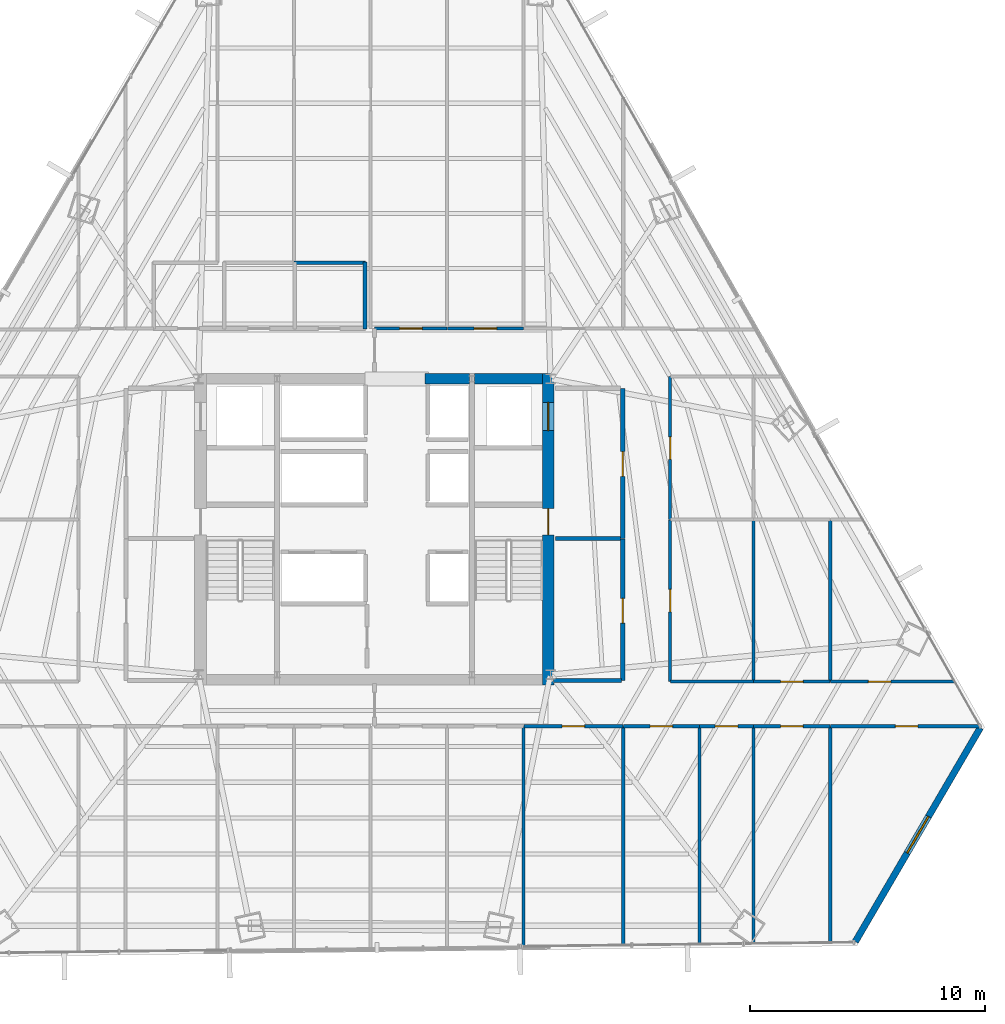
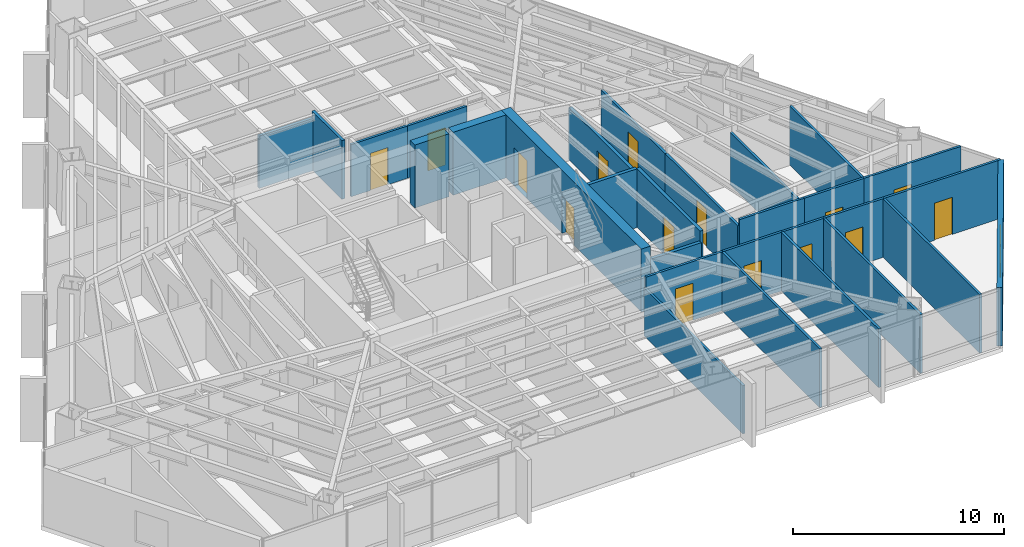
# One storey, part 33 of 37: 29 walls, 15 doors, 1 window, 16 openings.
"""IFC4 building model written with IfcOpenShell, lengths in metres."""

import ifcopenshell
import ifcopenshell.guid

model = None  # the IFC model being written
_history = None  # IfcOwnerHistory: only IFC2X3 demands one
_inside = {}  # id of a spatial element -> (the spatial element, [elements in it])
_under = {}  # id of a project, library or spatial element -> (it, [spatial elements below it])
_declared = {}  # id of a project -> (the project, [libraries it declares])
_typed = {}  # id of a type object -> (the type object, [elements of that type])
_made_of = {}  # id of a material, layer set ... -> (it, [elements and type objects made of it])


def new_model(schema):
    """Start an empty IFC model of exactly this schema.

    Asked for "IFC4X3", IfcOpenShell would pick the latest addendum, in which some entities
    have other attributes; the version numbers below select the first issue.
    IFC2X3 requires an IfcOwnerHistory on every rooted entity: one is made here for all.
    """
    global model, _history
    if schema == "IFC4X3":
        model = ifcopenshell.file(schema_version=(4, 3, 0, 0))
    else:
        model = ifcopenshell.file(schema=schema)
    _inside.clear()
    _under.clear()
    _declared.clear()
    _typed.clear()
    _made_of.clear()
    _history = None
    if model.schema == "IFC2X3":
        org = make("IfcOrganization", Name="unknown")
        user = make(
            "IfcPersonAndOrganization",
            ThePerson=make("IfcPerson", FamilyName="unknown"),
            TheOrganization=org,
        )
        app = make(
            "IfcApplication",
            ApplicationDeveloper=org,
            Version="unknown",
            ApplicationFullName="unknown",
            ApplicationIdentifier="unknown",
        )
        _history = make(
            "IfcOwnerHistory",
            OwningUser=user,
            OwningApplication=app,
            ChangeAction="ADDED",
            CreationDate=0,
        )
    return model


def make(cls, **values):
    """One entity of the class cls with the attributes given. An attribute that is None is left unset."""
    return model.create_entity(
        cls, **{name: value for name, value in values.items() if value is not None}
    )


def rooted(cls, **values):
    """An entity with a GlobalId (a new one), such as an element, a storey or a relation."""
    return make(cls, GlobalId=ifcopenshell.guid.new(), OwnerHistory=_history, **values)


def si_unit(unit_type, name, prefix=None):
    """IfcSIUnit, for example si_unit("LENGTHUNIT", "METRE", prefix="MILLI")."""
    return make("IfcSIUnit", UnitType=unit_type, Prefix=prefix, Name=name)


def assignment(units):
    """IfcUnitAssignment: the units of a project."""
    return None if units is None else make("IfcUnitAssignment", Units=units)


def point(xyz):
    """IfcCartesianPoint."""
    return None if xyz is None else make("IfcCartesianPoint", Coordinates=xyz)


def direction(xyz):
    """IfcDirection."""
    return None if xyz is None else make("IfcDirection", DirectionRatios=xyz)


def frame(location, z_axis=None, x_axis=None):
    """IfcAxis2Placement3D, a coordinate frame: its origin and axes. An axis left out is left unset."""
    return make(
        "IfcAxis2Placement3D",
        Location=point(location),
        Axis=direction(z_axis),
        RefDirection=direction(x_axis),
    )


def frame_2d(location, x_axis=None):
    """IfcAxis2Placement2D, a coordinate frame in the plane: its origin and x axis."""
    return make(
        "IfcAxis2Placement2D", Location=point(location), RefDirection=direction(x_axis)
    )


def origin():
    """The frame at (0, 0, 0) with its axes left unset."""
    return frame((0.0, 0.0, 0.0))


def place(relative_to, where):
    """IfcLocalPlacement: puts the frame where relative to a parent placement (None: the world)."""
    return make(
        "IfcLocalPlacement", PlacementRelTo=relative_to, RelativePlacement=where
    )


def context(
    kind, dimensions, precision=None, world=None, true_north=None, identifier=None
):
    """IfcGeometricRepresentationContext, for example the 3D "Model" context."""
    return make(
        "IfcGeometricRepresentationContext",
        ContextIdentifier=identifier,
        ContextType=kind,
        CoordinateSpaceDimension=dimensions,
        Precision=precision,
        WorldCoordinateSystem=world,
        TrueNorth=true_north,
    )


def subcontext(parent, identifier, kind, view, scale=None):
    """IfcGeometricRepresentationSubContext, for example "Body" below "Model"."""
    return make(
        "IfcGeometricRepresentationSubContext",
        ContextIdentifier=identifier,
        ContextType=kind,
        ParentContext=parent,
        TargetScale=scale,
        TargetView=view,
    )


def project(units=None, contexts=None):
    """IfcProject with its units and contexts."""
    return rooted(
        "IfcProject",
        Name="project",
        RepresentationContexts=contexts,
        UnitsInContext=assignment(units),
    )


def spatial(cls, under=None, at=None, **own):
    """A site, building, storey or space (cls), placed at a placement, below another one or the project."""
    s = rooted(cls, ObjectPlacement=at, **own)
    if under is not None:
        _under.setdefault(under.id(), (under, []))[1].append(s)
    return s


def profile(cls, at=None, kind="AREA", **sizes):
    """A parametric profile (cls). Its sizes go by their IFC names, for example OverallWidth=200.0."""
    return make(cls, ProfileType=kind, Position=at, **sizes)


def rectangle(**sizes):
    """IfcRectangleProfileDef."""
    return profile("IfcRectangleProfileDef", **sizes)


def extrude(swept, where, along, depth):
    """IfcExtrudedAreaSolid: the profile swept, set in the frame where, extruded along a direction by depth."""
    return make(
        "IfcExtrudedAreaSolid",
        SweptArea=swept,
        Position=where,
        ExtrudedDirection=direction(along),
        Depth=depth,
    )


def shape(context_of_items, identifier, shape_type, items):
    """IfcShapeRepresentation: the items that make up one representation, for example the "Body"."""
    return make(
        "IfcShapeRepresentation",
        ContextOfItems=context_of_items,
        RepresentationIdentifier=identifier,
        RepresentationType=shape_type,
        Items=items,
    )


def material(Name=None, Category=None):
    """IfcMaterial."""
    return make("IfcMaterial", Name=Name, Category=Category)


def layer(
    of_material, thickness, ventilated=None, Name=None, Category=None, Priority=None
):
    """IfcMaterialLayer: one layer of a wall or slab, of a material (None: an air gap)."""
    return make(
        "IfcMaterialLayer",
        Material=of_material,
        LayerThickness=thickness,
        IsVentilated=ventilated,
        Name=Name,
        Category=Category,
        Priority=Priority,
    )


def layer_set(layers, Name=None):
    """IfcMaterialLayerSet."""
    return make("IfcMaterialLayerSet", MaterialLayers=layers, LayerSetName=Name)


def made_of(thing, what):
    """Note that an element or type object is made of a material, layer set ...; save() writes the relation."""
    if what is not None:
        _made_of.setdefault(what.id(), (what, []))[1].append(thing)
    return thing


def type_object(cls, material=None, **own):
    """A type object (cls), such as IfcWallType, which elements share."""
    return made_of(rooted(cls, **own), material)


def element(
    cls,
    number,
    at=None,
    inside=None,
    cuts=None,
    type_object=None,
    material=None,
    context=None,
    identifier="Body",
    shape_type=None,
    held_by="IfcProductDefinitionShape",
    body=None,
    shapes=None,
    **own,
):
    """One element of the class cls, such as IfcWall. Its Tag is "e" and its number.

    at: its placement. inside: the storey or other place that contains it. cuts: it is an
    opening in that element (IfcRelVoidsElement). A single representation is given by context,
    identifier, shape_type and body (its items); several are given by shapes. held_by: the class
    of the entity that holds the representations. save() writes the other relations.
    """
    e = rooted(cls, Tag="e%d" % number, ObjectPlacement=at, **own)
    if body is not None:
        shapes = [shape(context, identifier, shape_type, body)]
    if shapes is not None:
        e.Representation = make(held_by, Representations=shapes)
    if inside is not None:
        _inside.setdefault(inside.id(), (inside, []))[1].append(e)
    if cuts is not None:
        rooted(
            "IfcRelVoidsElement", RelatingBuildingElement=cuts, RelatedOpeningElement=e
        )
    if type_object is not None:
        _typed.setdefault(type_object.id(), (type_object, []))[1].append(e)
    return made_of(e, material)


def fill(opening, filler):
    """IfcRelFillsElement: the door or window that sits in an opening."""
    return rooted(
        "IfcRelFillsElement",
        RelatingOpeningElement=opening,
        RelatedBuildingElement=filler,
    )


def aggregate(whole, parts):
    """IfcRelAggregates: a whole, such as a stair, and the parts it consists of."""
    return rooted("IfcRelAggregates", RelatingObject=whole, RelatedObjects=parts)


def save(model, path):
    """Write the relations noted so far, then the file.

    IfcRelAggregates (storeys below a building ...), IfcRelContainedInSpatialStructure (elements
    in a storey), IfcRelDefinesByType, IfcRelAssociatesMaterial and IfcRelDeclares: one each for
    every whole, place, type object, material and project.
    """
    for whole, parts in _under.values():
        aggregate(whole, parts)
    for where, things in _inside.values():
        rooted(
            "IfcRelContainedInSpatialStructure",
            RelatedElements=things,
            RelatingStructure=where,
        )
    for kind, things in _typed.values():
        rooted("IfcRelDefinesByType", RelatedObjects=things, RelatingType=kind)
    for what, things in _made_of.values():
        rooted("IfcRelAssociatesMaterial", RelatedObjects=things, RelatingMaterial=what)
    for by, libraries in _declared.values():
        rooted("IfcRelDeclares", RelatingContext=by, RelatedDefinitions=libraries)
    model.write(path)


model = new_model("IFC4")

# Units and contexts
model_context = context("Model", 3, precision=1e-05, world=origin(), true_north=direction((0.0, 1.0)))
body_context = subcontext(model_context, "Body", "Model", "MODEL_VIEW")
ifc_project = project(units=[si_unit("LENGTHUNIT", "METRE"), si_unit("AREAUNIT", "SQUARE_METRE"), si_unit("VOLUMEUNIT", "CUBIC_METRE"), si_unit("PLANEANGLEUNIT", "RADIAN"), si_unit("MASSUNIT", "GRAM", prefix="KILO")], contexts=[model_context])

# Site, building, storey
site_placement = place(None, origin())
site = spatial("IfcSite", under=ifc_project, at=site_placement, CompositionType="ELEMENT")
building_placement = place(site_placement, origin())
building = spatial("IfcBuilding", under=site, at=building_placement, Name="Caelisora Broadcast Tower", CompositionType="ELEMENT")
storey_placement = place(building_placement, frame((0.0, 0.0, 120.0)))
storey = spatial("IfcBuildingStorey", under=building, at=storey_placement, Name="L31", CompositionType="ELEMENT", Elevation=120.0)

# Wall, openings, doors
ifc_material_1 = material(Name="Concrete 50 MPa (AS 3600 S50)", Category="concrete")
ifc_layer_1 = layer(ifc_material_1, 0.5, Name="Concrete 50 MPa (AS 3600 S50)")
ifc_layer_set_1 = layer_set([ifc_layer_1], Name="Concrete 50 MPa (AS 3600 S50)")
wall_type_1 = type_object("IfcWallType", Name="CW2", PredefinedType="SHEAR", material=ifc_layer_set_1)
wall_1_placement = place(storey_placement, frame((45.409912109375, 16.949951171875, 0.0), z_axis=(0.0, 0.0, 1.0), x_axis=(0.0, 1.0, 0.0)))
wall_1 = element("IfcWall", 1, at=wall_1_placement, inside=storey, type_object=wall_type_1, Name="L31 core shear wall CW2", PredefinedType="SHEAR", context=body_context, shape_type="SweptSolid", body=[
    extrude(rectangle(XDim=13.275146484375, YDim=0.5, at=frame_2d((6.6376953125, 0.0))), origin(), (0.0, 0.0, 1.0), 3.64990234375),
])
opening_1_placement = place(wall_1_placement, frame((6.39990234375, 0.0, 0.0)))
opening_1 = element("IfcOpeningElement", 2, at=opening_1_placement, cuts=wall_1, Name="Opening FD04", PredefinedType="OPENING", context=body_context, shape_type="SweptSolid", body=[
    extrude(rectangle(XDim=1.1201171875, YDim=2.14990234375, at=frame_2d((0.56005859375, 1.074951171875))), frame((0.0, 0.261962890625, 0.0), z_axis=(0.0, -1.0, 0.0), x_axis=(1.0, 0.0, 0.0)), (0.0, 0.0, 1.0), 0.52392578125),
])
opening_2_placement = place(wall_1_placement, frame((10.85009765625, 0.0, 0.0)))
opening_2 = element("IfcOpeningElement", 3, at=opening_2_placement, cuts=wall_1, Name="Opening LD04", PredefinedType="OPENING", context=body_context, shape_type="SweptSolid", body=[
    extrude(rectangle(XDim=1.199951171875, YDim=2.199951171875, at=frame_2d((0.60009765625, 1.10009765625))), frame((0.0, 0.261962890625, 0.0), z_axis=(0.0, -1.0, 0.0), x_axis=(1.0, 0.0, 0.0)), (0.0, 0.0, 1.0), 0.52392578125),
])
ifc_material_2 = material(Name="Pressurised Fire-Isolated Stair Door", Category="steel")
door_type_1 = type_object("IfcDoorType", Name="FD04", OperationType="NOTDEFINED", PredefinedType="DOOR", material=ifc_material_2)
door_1_placement = place(opening_1_placement, origin())
door_1 = element("IfcDoor", 4, at=door_1_placement, inside=storey, type_object=door_type_1, Name="L31 door FD04 (L31-DR-ST2)", OperationType="SINGLE_SWING_RIGHT", OverallHeight=2.14990234375, OverallWidth=1.1201171875, PredefinedType="DOOR", context=body_context, shape_type="SweptSolid", body=[
    extrude(rectangle(XDim=1.1201171875, YDim=2.14990234375, at=frame_2d((0.56005859375, 1.074951171875))), frame((0.0, 0.02490234375, 0.0), z_axis=(0.0, -1.0, 0.0), x_axis=(1.0, 0.0, 0.0)), (0.0, 0.0, 1.0), 0.050048828125),
])
fill(opening_1, door_1)
ifc_material_3 = material(Name="Emergency Firefighting Lift Sliding Landing Door", Category="steel")
door_type_2 = type_object("IfcDoorType", Name="LD04", OperationType="NOTDEFINED", PredefinedType="DOOR", material=ifc_material_3)
door_2_placement = place(opening_2_placement, origin())
door_2 = element("IfcDoor", 5, at=door_2_placement, inside=storey, type_object=door_type_2, Name="L31 door LD04 (L31-LD-FFL2)", OperationType="SLIDING_TO_RIGHT", OverallHeight=2.199951171875, OverallWidth=1.199951171875, PredefinedType="DOOR", context=body_context, shape_type="SweptSolid", body=[
    extrude(rectangle(XDim=1.199951171875, YDim=2.199951171875, at=frame_2d((0.60009765625, 1.10009765625))), frame((0.0, 0.02490234375, 0.0), z_axis=(0.0, -1.0, 0.0), x_axis=(1.0, 0.0, 0.0)), (0.0, 0.0, 1.0), 0.050048828125),
])
fill(opening_2, door_2)

# Walls
ifc_layer_2 = layer(ifc_material_1, 0.449951171875, Name="Concrete 50 MPa (AS 3600 S50)")
ifc_layer_set_2 = layer_set([ifc_layer_2], Name="Concrete 50 MPa (AS 3600 S50)")
wall_type_2 = type_object("IfcWallType", Name="CW5", PredefinedType="SHEAR", material=ifc_layer_set_2)
wall_2_placement = place(storey_placement, frame((40.159912109375, 30.0, 0.0), z_axis=(0.0, 0.0, 1.0), x_axis=(1.0, 0.0, 0.0)))
element("IfcWall", 6, at=wall_2_placement, inside=storey, type_object=wall_type_2, Name="L31 core shear wall CW5", PredefinedType="SHEAR", context=body_context, shape_type="SweptSolid", body=[
    extrude(rectangle(XDim=1.880126953125, YDim=0.449951171875, at=frame_2d((0.93994140625, 0.0))), origin(), (0.0, 0.0, 1.0), 3.64990234375),
])
wall_3_placement = place(storey_placement, frame((42.260009765625, 30.0, 0.0), z_axis=(0.0, 0.0, 1.0), x_axis=(1.0, 0.0, 0.0)))
element("IfcWall", 7, at=wall_3_placement, inside=storey, type_object=wall_type_2, Name="L31 core shear wall CW5", PredefinedType="SHEAR", context=body_context, shape_type="SweptSolid", body=[
    extrude(rectangle(XDim=2.89990234375, YDim=0.449951171875, at=frame_2d((1.449951171875, 0.0))), origin(), (0.0, 0.0, 1.0), 3.64990234375),
])

# Wall, opening, window
ifc_material_4 = material(Name="Insulated Terracotta Spandrel Wall System", Category="masonry")
ifc_layer_3 = layer(ifc_material_4, 0.280029296875, Name="Insulated Terracotta Spandrel Wall System")
ifc_layer_set_3 = layer_set([ifc_layer_3], Name="Insulated Terracotta Spandrel Wall System")
wall_type_3 = type_object("IfcWallType", Name="EW1", PredefinedType="STANDARD", material=ifc_layer_set_3)
wall_4_placement = place(storey_placement, frame((63.81396484375, 15.135009765625, 0.0), z_axis=(0.0, 0.0, 1.0), x_axis=(-0.504536673787, -0.863390262166, 0.0)))
wall_4 = element("IfcWall", 8, at=wall_4_placement, inside=storey, type_object=wall_type_3, Name="L31 exterior envelope wall EW1", PredefinedType="STANDARD", context=body_context, shape_type="SweptSolid", body=[
    extrude(rectangle(XDim=10.55615234375, YDim=0.280029296875, at=frame_2d((5.278076171875, 0.0))), origin(), (0.0, 0.0, 1.0), 3.39990234375),
])
opening_3_placement = place(wall_4_placement, frame((4.3798828125, 0.0, 0.89990234375)))
opening_3 = element("IfcOpeningElement", 9, at=opening_3_placement, cuts=wall_4, Name="Opening W01", PredefinedType="OPENING", context=body_context, shape_type="SweptSolid", body=[
    extrude(rectangle(XDim=1.800048828125, YDim=1.800048828125, at=frame_2d((0.89990234375, 0.89990234375))), frame((0.0, 0.152099609375, 0.0), z_axis=(0.0, -1.0, 0.0), x_axis=(1.0, 0.0, 0.0)), (0.0, 0.0, 1.0), 0.303955078125),
])
ifc_material_5 = material(Name="Double Glazed Terracotta-Framed Vision Window", Category="glass")
window_type = type_object("IfcWindowType", Name="W01", PartitioningType="SINGLE_PANEL", PredefinedType="WINDOW", material=ifc_material_5)
window_placement = place(opening_3_placement, origin())
window = element("IfcWindow", 10, at=window_placement, inside=storey, type_object=window_type, Name="L31 window W01 (L31-WN-CH0)", OverallHeight=1.800048828125, OverallWidth=1.800048828125, PartitioningType="SINGLE_PANEL", PredefinedType="WINDOW", context=body_context, shape_type="SweptSolid", body=[
    extrude(rectangle(XDim=1.800048828125, YDim=1.800048828125, at=frame_2d((0.89990234375, 0.89990234375))), frame((0.0, 0.030029296875, 0.0), z_axis=(0.0, -1.0, 0.0), x_axis=(1.0, 0.0, 0.0)), (0.0, 0.0, 1.0), 0.06005859375),
])
fill(opening_3, window)

# Wall, opening, door
ifc_material_6 = material(Name="Fire-Rated Gypsum Shaft and Compartment Wall", Category="gypsum")
ifc_layer_4 = layer(ifc_material_6, 0.179931640625, Name="Fire-Rated Gypsum Shaft and Compartment Wall")
ifc_layer_set_4 = layer_set([ifc_layer_4], Name="Fire-Rated Gypsum Shaft and Compartment Wall")
wall_type_4 = type_object("IfcWallType", Name="PW2", PredefinedType="PARTITIONING", material=ifc_layer_set_4)
wall_5_placement = place(storey_placement, frame((48.580078125, 23.199951171875, 0.0), z_axis=(0.0, 0.0, 1.0), x_axis=(0.0, 1.0, 0.0)))
wall_5 = element("IfcWall", 11, at=wall_5_placement, inside=storey, type_object=wall_type_4, Name="L31 fire compartment wall PW2", PredefinedType="PARTITIONING", context=body_context, shape_type="SweptSolid", body=[
    extrude(rectangle(XDim=6.400146484375, YDim=0.179931640625, at=frame_2d((3.2001953125, 0.0))), origin(), (0.0, 0.0, 1.0), 3.0263671875),
])
opening_4_placement = place(wall_5_placement, frame((2.64990234375, 0.0, 0.0)))
opening_4 = element("IfcOpeningElement", 12, at=opening_4_placement, cuts=wall_5, Name="Opening FD02", PredefinedType="OPENING", context=body_context, shape_type="SweptSolid", body=[
    extrude(rectangle(XDim=1.050048828125, YDim=2.14990234375, at=frame_2d((0.52490234375, 1.074951171875))), frame((0.0, 0.10205078125, 0.0), z_axis=(0.0, -1.0, 0.0), x_axis=(1.0, 0.0, 0.0)), (0.0, 0.0, 1.0), 0.203857421875),
])
ifc_material_7 = material(Name="Single-Leaf Steel Fire Lobby Door", Category="steel")
door_type_3 = type_object("IfcDoorType", Name="FD02", OperationType="NOTDEFINED", PredefinedType="DOOR", material=ifc_material_7)
door_3_placement = place(opening_4_placement, origin())
door_3 = element("IfcDoor", 13, at=door_3_placement, inside=storey, type_object=door_type_3, Name="L31 door FD02 (L31-DR-P04D1)", OperationType="SINGLE_SWING_RIGHT", OverallHeight=2.14990234375, OverallWidth=1.050048828125, PredefinedType="DOOR", context=body_context, shape_type="SweptSolid", body=[
    extrude(rectangle(XDim=1.050048828125, YDim=2.14990234375, at=frame_2d((0.52490234375, 1.074951171875))), frame((0.0, 0.02490234375, 0.0), z_axis=(0.0, -1.0, 0.0), x_axis=(1.0, 0.0, 0.0)), (0.0, 0.0, 1.0), 0.050048828125),
])
fill(opening_4, door_3)

# Wall
wall_6_placement = place(storey_placement, frame((45.719970703125, 23.199951171875, 0.0), z_axis=(0.0, 0.0, 1.0), x_axis=(1.0, 0.0, 0.0)))
element("IfcWall", 14, at=wall_6_placement, inside=storey, type_object=wall_type_4, Name="L31 fire compartment wall PW2", PredefinedType="PARTITIONING", context=body_context, shape_type="SweptSolid", body=[
    extrude(rectangle(XDim=2.760009765625, YDim=0.179931640625, at=frame_2d((1.3798828125, 0.0))), origin(), (0.0, 0.0, 1.0), 3.39990234375),
])

# Wall, opening, door
wall_7_placement = place(storey_placement, frame((48.580078125, 17.14990234375, 0.0), z_axis=(0.0, 0.0, 1.0), x_axis=(0.0, 1.0, 0.0)))
wall_7 = element("IfcWall", 15, at=wall_7_placement, inside=storey, type_object=wall_type_4, Name="L31 fire compartment wall PW2", PredefinedType="PARTITIONING", context=body_context, shape_type="SweptSolid", body=[
    extrude(rectangle(XDim=6.030029296875, YDim=0.179931640625, at=frame_2d((3.01513671875, 0.0))), origin(), (0.0, 0.0, 1.0), 3.39990234375),
])
opening_5_placement = place(wall_7_placement, frame((2.449951171875, 0.0, 0.0)))
opening_5 = element("IfcOpeningElement", 16, at=opening_5_placement, cuts=wall_7, Name="Opening FD02", PredefinedType="OPENING", context=body_context, shape_type="SweptSolid", body=[
    extrude(rectangle(XDim=1.050048828125, YDim=2.14990234375, at=frame_2d((0.52490234375, 1.074951171875))), frame((0.0, 0.10205078125, 0.0), z_axis=(0.0, -1.0, 0.0), x_axis=(1.0, 0.0, 0.0)), (0.0, 0.0, 1.0), 0.203857421875),
])
door_4_placement = place(opening_5_placement, origin())
door_4 = element("IfcDoor", 17, at=door_4_placement, inside=storey, type_object=door_type_3, Name="L31 door FD02 (L31-DR-P14D1)", OperationType="SINGLE_SWING_LEFT", OverallHeight=2.14990234375, OverallWidth=1.050048828125, PredefinedType="DOOR", context=body_context, shape_type="SweptSolid", body=[
    extrude(rectangle(XDim=1.050048828125, YDim=2.14990234375, at=frame_2d((0.52490234375, 1.074951171875))), frame((0.0, 0.02490234375, 0.0), z_axis=(0.0, -1.0, 0.0), x_axis=(1.0, 0.0, 0.0)), (0.0, 0.0, 1.0), 0.050048828125),
])
fill(opening_5, door_4)

# Walls
wall_8_placement = place(storey_placement, frame((45.6201171875, 17.14990234375, 0.0), z_axis=(0.0, 0.0, 1.0), x_axis=(1.0, 0.0, 0.0)))
element("IfcWall", 18, at=wall_8_placement, inside=storey, type_object=wall_type_4, Name="L31 fire compartment wall PW2", PredefinedType="PARTITIONING", context=body_context, shape_type="SweptSolid", body=[
    extrude(rectangle(XDim=2.89990234375, YDim=0.179931640625, at=frame_2d((1.449951171875, 0.0))), origin(), (0.0, 0.0, 1.0), 2.78271484375),
])
ifc_material_8 = material(Name="Acoustic Steel-Stud Plasterboard Partition", Category="gypsum")
ifc_layer_5 = layer(ifc_material_8, 0.1298828125, Name="Acoustic Steel-Stud Plasterboard Partition")
ifc_layer_set_5 = layer_set([ifc_layer_5], Name="Acoustic Steel-Stud Plasterboard Partition")
wall_type_5 = type_object("IfcWallType", Name="PW3", PredefinedType="PARTITIONING", material=ifc_layer_set_5)
wall_9_placement = place(storey_placement, frame((44.360107421875, 5.814208984375, 0.0), z_axis=(0.0, 0.0, 1.0), x_axis=(0.0, 1.0, 0.0)))
element("IfcWall", 19, at=wall_9_placement, inside=storey, type_object=wall_type_5, Name="L31 internal partition PW3", PredefinedType="PARTITIONING", context=body_context, shape_type="SweptSolid", body=[
    extrude(rectangle(XDim=9.380859375, YDim=0.1298828125, at=frame_2d((4.6904296875, 0.0))), origin(), (0.0, 0.0, 1.0), 2.78271484375),
])
wall_10_placement = place(storey_placement, frame((48.60009765625, 5.8671875, 0.0), z_axis=(0.0, 0.0, 1.0), x_axis=(0.0, 1.0, 0.0)))
element("IfcWall", 20, at=wall_10_placement, inside=storey, type_object=wall_type_5, Name="L31 internal partition PW3", PredefinedType="PARTITIONING", context=body_context, shape_type="SweptSolid", body=[
    extrude(rectangle(XDim=9.327880859375, YDim=0.1298828125, at=frame_2d((4.6640625, 0.0))), origin(), (0.0, 0.0, 1.0), 3.39990234375),
])
wall_11_placement = place(storey_placement, frame((51.85009765625, 5.907470703125, 0.0), z_axis=(0.0, 0.0, 1.0), x_axis=(0.0, 1.0, 0.0)))
element("IfcWall", 21, at=wall_11_placement, inside=storey, type_object=wall_type_5, Name="L31 internal partition PW3", PredefinedType="PARTITIONING", context=body_context, shape_type="SweptSolid", body=[
    extrude(rectangle(XDim=9.28759765625, YDim=0.1298828125, at=frame_2d((4.643798828125, 0.0))), origin(), (0.0, 0.0, 1.0), 3.39990234375),
])
wall_12_placement = place(storey_placement, frame((54.14990234375, 5.93603515625, 0.0), z_axis=(0.0, 0.0, 1.0), x_axis=(0.0, 1.0, 0.0)))
element("IfcWall", 22, at=wall_12_placement, inside=storey, type_object=wall_type_5, Name="L31 internal partition PW3", PredefinedType="PARTITIONING", context=body_context, shape_type="SweptSolid", body=[
    extrude(rectangle(XDim=9.259033203125, YDim=0.1298828125, at=frame_2d((4.62939453125, 0.0))), origin(), (0.0, 0.0, 1.0), 3.39990234375),
])
wall_13_placement = place(storey_placement, frame((57.419921875, 5.976806640625, 0.0), z_axis=(0.0, 0.0, 1.0), x_axis=(0.0, 1.0, 0.0)))
element("IfcWall", 23, at=wall_13_placement, inside=storey, type_object=wall_type_5, Name="L31 internal partition PW3", PredefinedType="PARTITIONING", context=body_context, shape_type="SweptSolid", body=[
    extrude(rectangle(XDim=9.21826171875, YDim=0.1298828125, at=frame_2d((4.609130859375, 0.0))), origin(), (0.0, 0.0, 1.0), 3.39990234375),
])

# Wall, opening, door
wall_14_placement = place(storey_placement, frame((50.60009765625, 17.10498046875, 0.0), z_axis=(0.0, 0.0, 1.0), x_axis=(0.0, 1.0, 0.0)))
wall_14 = element("IfcWall", 24, at=wall_14_placement, inside=storey, type_object=wall_type_5, Name="L31 internal partition PW3", PredefinedType="PARTITIONING", context=body_context, shape_type="SweptSolid", body=[
    extrude(rectangle(XDim=6.89013671875, YDim=0.1298828125, at=frame_2d((3.445068359375, 0.0))), origin(), (0.0, 0.0, 1.0), 3.0263671875),
])
opening_6_placement = place(wall_14_placement, frame((2.965087890625, 0.0, 0.0)))
opening_6 = element("IfcOpeningElement", 25, at=opening_6_placement, cuts=wall_14, Name="Opening D01", PredefinedType="OPENING", context=body_context, shape_type="SweptSolid", body=[
    extrude(rectangle(XDim=0.9599609375, YDim=2.14990234375, at=frame_2d((0.47998046875, 1.074951171875))), frame((0.0, 0.076904296875, 0.0), z_axis=(0.0, -1.0, 0.0), x_axis=(1.0, 0.0, 0.0)), (0.0, 0.0, 1.0), 0.15380859375),
])
ifc_material_9 = material(Name="Solid-Core Timber Acoustic Office Door", Category="wood")
door_type_4 = type_object("IfcDoorType", Name="D01", OperationType="NOTDEFINED", PredefinedType="DOOR", material=ifc_material_9)
door_5_placement = place(opening_6_placement, origin())
door_5 = element("IfcDoor", 26, at=door_5_placement, inside=storey, type_object=door_type_4, Name="L31 door D01 (L31-DR-P49D1)", OperationType="SINGLE_SWING_RIGHT", OverallHeight=2.14990234375, OverallWidth=0.9599609375, PredefinedType="DOOR", context=body_context, shape_type="SweptSolid", body=[
    extrude(rectangle(XDim=0.9599609375, YDim=2.14990234375, at=frame_2d((0.47998046875, 1.074951171875))), frame((0.0, 0.02490234375, 0.0), z_axis=(0.0, -1.0, 0.0), x_axis=(1.0, 0.0, 0.0)), (0.0, 0.0, 1.0), 0.050048828125),
])
fill(opening_6, door_5)

# Walls
wall_15_placement = place(storey_placement, frame((54.14990234375, 17.10498046875, 0.0), z_axis=(0.0, 0.0, 1.0), x_axis=(0.0, 1.0, 0.0)))
element("IfcWall", 27, at=wall_15_placement, inside=storey, type_object=wall_type_5, Name="L31 internal partition PW3", PredefinedType="PARTITIONING", context=body_context, shape_type="SweptSolid", body=[
    extrude(rectangle(XDim=6.89013671875, YDim=0.1298828125, at=frame_2d((3.445068359375, 0.0))), origin(), (0.0, 0.0, 1.0), 3.0263671875),
])
wall_16_placement = place(storey_placement, frame((57.419921875, 17.10498046875, 0.0), z_axis=(0.0, 0.0, 1.0), x_axis=(0.0, 1.0, 0.0)))
element("IfcWall", 28, at=wall_16_placement, inside=storey, type_object=wall_type_5, Name="L31 internal partition PW3", PredefinedType="PARTITIONING", context=body_context, shape_type="SweptSolid", body=[
    extrude(rectangle(XDim=6.89013671875, YDim=0.1298828125, at=frame_2d((3.445068359375, 0.0))), origin(), (0.0, 0.0, 1.0), 3.39990234375),
])

# Wall, opening, door
wall_17_placement = place(storey_placement, frame((57.425048828125, 15.199951171875, 0.0), z_axis=(0.0, 0.0, 1.0), x_axis=(1.0, 0.0, 0.0)))
wall_17 = element("IfcWall", 29, at=wall_17_placement, inside=storey, type_object=wall_type_5, Name="L31 internal partition PW3", PredefinedType="PARTITIONING", context=body_context, shape_type="SweptSolid", body=[
    extrude(rectangle(XDim=6.387451171875, YDim=0.1298828125, at=frame_2d((3.19384765625, 0.0))), origin(), (0.0, 0.0, 1.0), 3.39990234375),
])
opening_7_placement = place(wall_17_placement, frame((2.76806640625, 0.0, 0.0)))
opening_7 = element("IfcOpeningElement", 30, at=opening_7_placement, cuts=wall_17, Name="Opening D01", PredefinedType="OPENING", context=body_context, shape_type="SweptSolid", body=[
    extrude(rectangle(XDim=0.9599609375, YDim=2.14990234375, at=frame_2d((0.47998046875, 1.074951171875))), frame((0.0, 0.076904296875, 0.0), z_axis=(0.0, -1.0, 0.0), x_axis=(1.0, 0.0, 0.0)), (0.0, 0.0, 1.0), 0.15380859375),
])
door_6_placement = place(opening_7_placement, origin())
door_6 = element("IfcDoor", 31, at=door_6_placement, inside=storey, type_object=door_type_4, Name="L31 door D01 (L31-DR-P54D1)", OperationType="SINGLE_SWING_LEFT", OverallHeight=2.14990234375, OverallWidth=0.9599609375, PredefinedType="DOOR", context=body_context, shape_type="SweptSolid", body=[
    extrude(rectangle(XDim=0.9599609375, YDim=2.14990234375, at=frame_2d((0.47998046875, 1.074951171875))), frame((0.0, 0.02490234375, 0.0), z_axis=(0.0, -1.0, 0.0), x_axis=(1.0, 0.0, 0.0)), (0.0, 0.0, 1.0), 0.050048828125),
])
fill(opening_7, door_6)

wall_18_placement = place(storey_placement, frame((50.60009765625, 24.0048828125, 0.0), z_axis=(0.0, 0.0, 1.0), x_axis=(0.0, 1.0, 0.0)))
wall_18 = element("IfcWall", 32, at=wall_18_placement, inside=storey, type_object=wall_type_5, Name="L31 internal partition PW3", PredefinedType="PARTITIONING", context=body_context, shape_type="SweptSolid", body=[
    extrude(rectangle(XDim=6.090087890625, YDim=0.1298828125, at=frame_2d((3.044921875, 0.0))), origin(), (0.0, 0.0, 1.0), 3.0263671875),
])
opening_8_placement = place(wall_18_placement, frame((2.56494140625, 0.0, 0.0)))
opening_8 = element("IfcOpeningElement", 33, at=opening_8_placement, cuts=wall_18, Name="Opening D01", PredefinedType="OPENING", context=body_context, shape_type="SweptSolid", body=[
    extrude(rectangle(XDim=0.9599609375, YDim=2.14990234375, at=frame_2d((0.47998046875, 1.074951171875))), frame((0.0, 0.076904296875, 0.0), z_axis=(0.0, -1.0, 0.0), x_axis=(1.0, 0.0, 0.0)), (0.0, 0.0, 1.0), 0.15380859375),
])
door_7_placement = place(opening_8_placement, origin())
door_7 = element("IfcDoor", 34, at=door_7_placement, inside=storey, type_object=door_type_4, Name="L31 door D01 (L31-DR-P56D1)", OperationType="SINGLE_SWING_LEFT", OverallHeight=2.14990234375, OverallWidth=0.9599609375, PredefinedType="DOOR", context=body_context, shape_type="SweptSolid", body=[
    extrude(rectangle(XDim=0.9599609375, YDim=2.14990234375, at=frame_2d((0.47998046875, 1.074951171875))), frame((0.0, 0.02490234375, 0.0), z_axis=(0.0, -1.0, 0.0), x_axis=(1.0, 0.0, 0.0)), (0.0, 0.0, 1.0), 0.050048828125),
])
fill(opening_8, door_7)

wall_19_placement = place(storey_placement, frame((57.425048828125, 17.10009765625, 0.0), z_axis=(0.0, 0.0, 1.0), x_axis=(1.0, 0.0, 0.0)))
wall_19 = element("IfcWall", 35, at=wall_19_placement, inside=storey, type_object=wall_type_5, Name="L31 internal partition PW3", PredefinedType="PARTITIONING", context=body_context, shape_type="SweptSolid", body=[
    extrude(rectangle(XDim=5.308837890625, YDim=0.1298828125, at=frame_2d((2.654296875, 0.0))), origin(), (0.0, 0.0, 1.0), 3.39990234375),
])
opening_9_placement = place(wall_19_placement, frame((1.6201171875, 0.0, 0.0)))
opening_9 = element("IfcOpeningElement", 36, at=opening_9_placement, cuts=wall_19, Name="Opening D01", PredefinedType="OPENING", context=body_context, shape_type="SweptSolid", body=[
    extrude(rectangle(XDim=0.9599609375, YDim=2.14990234375, at=frame_2d((0.47998046875, 1.074951171875))), frame((0.0, 0.076904296875, 0.0), z_axis=(0.0, -1.0, 0.0), x_axis=(1.0, 0.0, 0.0)), (0.0, 0.0, 1.0), 0.15380859375),
])
door_8_placement = place(opening_9_placement, origin())
door_8 = element("IfcDoor", 37, at=door_8_placement, inside=storey, type_object=door_type_4, Name="L31 door D01 (L31-DR-P60D1)", OperationType="SINGLE_SWING_LEFT", OverallHeight=2.14990234375, OverallWidth=0.9599609375, PredefinedType="DOOR", context=body_context, shape_type="SweptSolid", body=[
    extrude(rectangle(XDim=0.9599609375, YDim=2.14990234375, at=frame_2d((0.47998046875, 1.074951171875))), frame((0.0, 0.02490234375, 0.0), z_axis=(0.0, -1.0, 0.0), x_axis=(1.0, 0.0, 0.0)), (0.0, 0.0, 1.0), 0.050048828125),
])
fill(opening_9, door_8)

wall_20_placement = place(storey_placement, frame((44.364990234375, 15.199951171875, 0.0), z_axis=(0.0, 0.0, 1.0), x_axis=(1.0, 0.0, 0.0)))
wall_20 = element("IfcWall", 38, at=wall_20_placement, inside=storey, type_object=wall_type_5, Name="L31 internal partition PW3", PredefinedType="PARTITIONING", context=body_context, shape_type="SweptSolid", body=[
    extrude(rectangle(XDim=4.22998046875, YDim=0.1298828125, at=frame_2d((2.114990234375, 0.0))), origin(), (0.0, 0.0, 1.0), 3.39990234375),
])
opening_10_placement = place(wall_20_placement, frame((1.635009765625, 0.0, 0.0)))
opening_10 = element("IfcOpeningElement", 39, at=opening_10_placement, cuts=wall_20, Name="Opening D01", PredefinedType="OPENING", context=body_context, shape_type="SweptSolid", body=[
    extrude(rectangle(XDim=0.9599609375, YDim=2.14990234375, at=frame_2d((0.47998046875, 1.074951171875))), frame((0.0, 0.076904296875, 0.0), z_axis=(0.0, -1.0, 0.0), x_axis=(1.0, 0.0, 0.0)), (0.0, 0.0, 1.0), 0.15380859375),
])
door_9_placement = place(opening_10_placement, origin())
door_9 = element("IfcDoor", 40, at=door_9_placement, inside=storey, type_object=door_type_4, Name="L31 door D01 (L31-DR-P62D1)", OperationType="SINGLE_SWING_LEFT", OverallHeight=2.14990234375, OverallWidth=0.9599609375, PredefinedType="DOOR", context=body_context, shape_type="SweptSolid", body=[
    extrude(rectangle(XDim=0.9599609375, YDim=2.14990234375, at=frame_2d((0.47998046875, 1.074951171875))), frame((0.0, 0.02490234375, 0.0), z_axis=(0.0, -1.0, 0.0), x_axis=(1.0, 0.0, 0.0)), (0.0, 0.0, 1.0), 0.050048828125),
])
fill(opening_10, door_9)

# Wall
wall_21_placement = place(storey_placement, frame((54.14501953125, 17.10009765625, 0.0), z_axis=(0.0, 0.0, 1.0), x_axis=(-1.0, 0.0, 0.0)))
element("IfcWall", 41, at=wall_21_placement, inside=storey, type_object=wall_type_5, Name="L31 internal partition PW3", PredefinedType="PARTITIONING", context=body_context, shape_type="SweptSolid", body=[
    extrude(rectangle(XDim=3.5400390625, YDim=0.1298828125, at=frame_2d((1.77001953125, 0.0))), origin(), (0.0, 0.0, 1.0), 3.39990234375),
])

# Wall, opening, door
wall_22_placement = place(storey_placement, frame((54.155029296875, 17.10009765625, 0.0), z_axis=(0.0, 0.0, 1.0), x_axis=(1.0, 0.0, 0.0)))
wall_22 = element("IfcWall", 42, at=wall_22_placement, inside=storey, type_object=wall_type_5, Name="L31 internal partition PW3", PredefinedType="PARTITIONING", context=body_context, shape_type="SweptSolid", body=[
    extrude(rectangle(XDim=3.260009765625, YDim=0.1298828125, at=frame_2d((1.6298828125, 0.0))), origin(), (0.0, 0.0, 1.0), 3.39990234375),
])
opening_11_placement = place(wall_22_placement, frame((1.14990234375, 0.0, 0.0)))
opening_11 = element("IfcOpeningElement", 43, at=opening_11_placement, cuts=wall_22, Name="Opening D01", PredefinedType="OPENING", context=body_context, shape_type="SweptSolid", body=[
    extrude(rectangle(XDim=0.9599609375, YDim=2.14990234375, at=frame_2d((0.47998046875, 1.074951171875))), frame((0.0, 0.076904296875, 0.0), z_axis=(0.0, -1.0, 0.0), x_axis=(1.0, 0.0, 0.0)), (0.0, 0.0, 1.0), 0.15380859375),
])
door_10_placement = place(opening_11_placement, origin())
door_10 = element("IfcDoor", 44, at=door_10_placement, inside=storey, type_object=door_type_4, Name="L31 door D01 (L31-DR-P75D1)", OperationType="SINGLE_SWING_RIGHT", OverallHeight=2.14990234375, OverallWidth=0.9599609375, PredefinedType="DOOR", context=body_context, shape_type="SweptSolid", body=[
    extrude(rectangle(XDim=0.9599609375, YDim=2.14990234375, at=frame_2d((0.47998046875, 1.074951171875))), frame((0.0, 0.02490234375, 0.0), z_axis=(0.0, -1.0, 0.0), x_axis=(1.0, 0.0, 0.0)), (0.0, 0.0, 1.0), 0.050048828125),
])
fill(opening_11, door_10)

wall_23_placement = place(storey_placement, frame((54.155029296875, 15.199951171875, 0.0), z_axis=(0.0, 0.0, 1.0), x_axis=(1.0, 0.0, 0.0)))
wall_23 = element("IfcWall", 45, at=wall_23_placement, inside=storey, type_object=wall_type_5, Name="L31 internal partition PW3", PredefinedType="PARTITIONING", context=body_context, shape_type="SweptSolid", body=[
    extrude(rectangle(XDim=3.260009765625, YDim=0.1298828125, at=frame_2d((1.6298828125, 0.0))), origin(), (0.0, 0.0, 1.0), 3.39990234375),
])
opening_12_placement = place(wall_23_placement, frame((1.14990234375, 0.0, 0.0)))
opening_12 = element("IfcOpeningElement", 46, at=opening_12_placement, cuts=wall_23, Name="Opening D01", PredefinedType="OPENING", context=body_context, shape_type="SweptSolid", body=[
    extrude(rectangle(XDim=0.9599609375, YDim=2.14990234375, at=frame_2d((0.47998046875, 1.074951171875))), frame((0.0, 0.076904296875, 0.0), z_axis=(0.0, -1.0, 0.0), x_axis=(1.0, 0.0, 0.0)), (0.0, 0.0, 1.0), 0.15380859375),
])
door_11_placement = place(opening_12_placement, origin())
door_11 = element("IfcDoor", 47, at=door_11_placement, inside=storey, type_object=door_type_4, Name="L31 door D01 (L31-DR-P76D1)", OperationType="SINGLE_SWING_LEFT", OverallHeight=2.14990234375, OverallWidth=0.9599609375, PredefinedType="DOOR", context=body_context, shape_type="SweptSolid", body=[
    extrude(rectangle(XDim=0.9599609375, YDim=2.14990234375, at=frame_2d((0.47998046875, 1.074951171875))), frame((0.0, 0.02490234375, 0.0), z_axis=(0.0, -1.0, 0.0), x_axis=(1.0, 0.0, 0.0)), (0.0, 0.0, 1.0), 0.050048828125),
])
fill(opening_12, door_11)

wall_24_placement = place(storey_placement, frame((41.10498046875, 32.14990234375, 0.0), z_axis=(0.0, 0.0, 1.0), x_axis=(1.0, 0.0, 0.0)))
wall_24 = element("IfcWall", 48, at=wall_24_placement, inside=storey, type_object=wall_type_5, Name="L31 internal partition PW3", PredefinedType="PARTITIONING", context=body_context, shape_type="SweptSolid", body=[
    extrude(rectangle(XDim=3.25, YDim=0.1298828125, at=frame_2d((1.625, 0.0))), origin(), (0.0, 0.0, 1.0), 3.0263671875),
])
opening_13_placement = place(wall_24_placement, frame((1.14501953125, 0.0, 0.0)))
opening_13 = element("IfcOpeningElement", 49, at=opening_13_placement, cuts=wall_24, Name="Opening D01", PredefinedType="OPENING", context=body_context, shape_type="SweptSolid", body=[
    extrude(rectangle(XDim=0.9599609375, YDim=2.14990234375, at=frame_2d((0.47998046875, 1.074951171875))), frame((0.0, 0.076904296875, 0.0), z_axis=(0.0, -1.0, 0.0), x_axis=(1.0, 0.0, 0.0)), (0.0, 0.0, 1.0), 0.15380859375),
])
door_12_placement = place(opening_13_placement, origin())
door_12 = element("IfcDoor", 50, at=door_12_placement, inside=storey, type_object=door_type_4, Name="L31 door D01 (L31-DR-P82D1)", OperationType="SINGLE_SWING_LEFT", OverallHeight=2.14990234375, OverallWidth=0.9599609375, PredefinedType="DOOR", context=body_context, shape_type="SweptSolid", body=[
    extrude(rectangle(XDim=0.9599609375, YDim=2.14990234375, at=frame_2d((0.47998046875, 1.074951171875))), frame((0.0, 0.02490234375, 0.0), z_axis=(0.0, -1.0, 0.0), x_axis=(1.0, 0.0, 0.0)), (0.0, 0.0, 1.0), 0.050048828125),
])
fill(opening_13, door_12)

wall_25_placement = place(storey_placement, frame((48.60498046875, 15.199951171875, 0.0), z_axis=(0.0, 0.0, 1.0), x_axis=(1.0, 0.0, 0.0)))
wall_25 = element("IfcWall", 51, at=wall_25_placement, inside=storey, type_object=wall_type_5, Name="L31 internal partition PW3", PredefinedType="PARTITIONING", context=body_context, shape_type="SweptSolid", body=[
    extrude(rectangle(XDim=3.239990234375, YDim=0.1298828125, at=frame_2d((1.6201171875, 0.0))), origin(), (0.0, 0.0, 1.0), 3.39990234375),
])
opening_14_placement = place(wall_25_placement, frame((1.139892578125, 0.0, 0.0)))
opening_14 = element("IfcOpeningElement", 52, at=opening_14_placement, cuts=wall_25, Name="Opening D01", PredefinedType="OPENING", context=body_context, shape_type="SweptSolid", body=[
    extrude(rectangle(XDim=0.9599609375, YDim=2.14990234375, at=frame_2d((0.47998046875, 1.074951171875))), frame((0.0, 0.076904296875, 0.0), z_axis=(0.0, -1.0, 0.0), x_axis=(1.0, 0.0, 0.0)), (0.0, 0.0, 1.0), 0.15380859375),
])
door_13_placement = place(opening_14_placement, origin())
door_13 = element("IfcDoor", 53, at=door_13_placement, inside=storey, type_object=door_type_4, Name="L31 door D01 (L31-DR-P84D1)", OperationType="SINGLE_SWING_LEFT", OverallHeight=2.14990234375, OverallWidth=0.9599609375, PredefinedType="DOOR", context=body_context, shape_type="SweptSolid", body=[
    extrude(rectangle(XDim=0.9599609375, YDim=2.14990234375, at=frame_2d((0.47998046875, 1.074951171875))), frame((0.0, 0.02490234375, 0.0), z_axis=(0.0, -1.0, 0.0), x_axis=(1.0, 0.0, 0.0)), (0.0, 0.0, 1.0), 0.050048828125),
])
fill(opening_14, door_13)

wall_26_placement = place(storey_placement, frame((38.0048828125, 32.14990234375, 0.0), z_axis=(0.0, 0.0, 1.0), x_axis=(1.0, 0.0, 0.0)))
wall_26 = element("IfcWall", 54, at=wall_26_placement, inside=storey, type_object=wall_type_5, Name="L31 internal partition PW3", PredefinedType="PARTITIONING", context=body_context, shape_type="SweptSolid", body=[
    extrude(rectangle(XDim=3.090087890625, YDim=0.1298828125, at=frame_2d((1.544921875, 0.0))), origin(), (0.0, 0.0, 1.0), 3.0263671875),
])
opening_15_placement = place(wall_26_placement, frame((1.06494140625, 0.0, 0.0)))
opening_15 = element("IfcOpeningElement", 55, at=opening_15_placement, cuts=wall_26, Name="Opening D01", PredefinedType="OPENING", context=body_context, shape_type="SweptSolid", body=[
    extrude(rectangle(XDim=0.9599609375, YDim=2.14990234375, at=frame_2d((0.47998046875, 1.074951171875))), frame((0.0, 0.076904296875, 0.0), z_axis=(0.0, -1.0, 0.0), x_axis=(1.0, 0.0, 0.0)), (0.0, 0.0, 1.0), 0.15380859375),
])
door_14_placement = place(opening_15_placement, origin())
door_14 = element("IfcDoor", 56, at=door_14_placement, inside=storey, type_object=door_type_4, Name="L31 door D01 (L31-DR-P85D1)", OperationType="SINGLE_SWING_RIGHT", OverallHeight=2.14990234375, OverallWidth=0.9599609375, PredefinedType="DOOR", context=body_context, shape_type="SweptSolid", body=[
    extrude(rectangle(XDim=0.9599609375, YDim=2.14990234375, at=frame_2d((0.47998046875, 1.074951171875))), frame((0.0, 0.02490234375, 0.0), z_axis=(0.0, -1.0, 0.0), x_axis=(1.0, 0.0, 0.0)), (0.0, 0.0, 1.0), 0.050048828125),
])
fill(opening_15, door_14)

wall_27_placement = place(storey_placement, frame((51.85498046875, 15.199951171875, 0.0), z_axis=(0.0, 0.0, 1.0), x_axis=(1.0, 0.0, 0.0)))
wall_27 = element("IfcWall", 57, at=wall_27_placement, inside=storey, type_object=wall_type_5, Name="L31 internal partition PW3", PredefinedType="PARTITIONING", context=body_context, shape_type="SweptSolid", body=[
    extrude(rectangle(XDim=2.2900390625, YDim=0.1298828125, at=frame_2d((1.14501953125, 0.0))), origin(), (0.0, 0.0, 1.0), 3.39990234375),
])
opening_16_placement = place(wall_27_placement, frame((0.6650390625, 0.0, 0.0)))
opening_16 = element("IfcOpeningElement", 58, at=opening_16_placement, cuts=wall_27, Name="Opening D01", PredefinedType="OPENING", context=body_context, shape_type="SweptSolid", body=[
    extrude(rectangle(XDim=0.9599609375, YDim=2.14990234375, at=frame_2d((0.47998046875, 1.074951171875))), frame((0.0, 0.076904296875, 0.0), z_axis=(0.0, -1.0, 0.0), x_axis=(1.0, 0.0, 0.0)), (0.0, 0.0, 1.0), 0.15380859375),
])
door_15_placement = place(opening_16_placement, origin())
door_15 = element("IfcDoor", 59, at=door_15_placement, inside=storey, type_object=door_type_4, Name="L31 door D01 (L31-DR-P87D1)", OperationType="SINGLE_SWING_RIGHT", OverallHeight=2.14990234375, OverallWidth=0.9599609375, PredefinedType="DOOR", context=body_context, shape_type="SweptSolid", body=[
    extrude(rectangle(XDim=0.9599609375, YDim=2.14990234375, at=frame_2d((0.47998046875, 1.074951171875))), frame((0.0, 0.02490234375, 0.0), z_axis=(0.0, -1.0, 0.0), x_axis=(1.0, 0.0, 0.0)), (0.0, 0.0, 1.0), 0.050048828125),
])
fill(opening_16, door_15)

# Walls
ifc_material_10 = material(Name="Moisture-Resistant Wet Plumbing Service Wall", Category="gypsum")
ifc_layer_6 = layer(ifc_material_10, 0.159912109375, Name="Moisture-Resistant Wet Plumbing Service Wall")
ifc_layer_set_6 = layer_set([ifc_layer_6], Name="Moisture-Resistant Wet Plumbing Service Wall")
wall_type_6 = type_object("IfcWallType", Name="PW4", PredefinedType="PLUMBINGWALL", material=ifc_layer_set_6)
wall_28_placement = place(storey_placement, frame((37.625, 34.949951171875, 0.0), z_axis=(0.0, 0.0, 1.0), x_axis=(-1.0, 0.0, 0.0)))
element("IfcWall", 60, at=wall_28_placement, inside=storey, type_object=wall_type_6, Name="L31 wet plumbing wall PW4", PredefinedType="PLUMBINGWALL", context=body_context, shape_type="SweptSolid", body=[
    extrude(rectangle(XDim=3.050048828125, YDim=0.159912109375, at=frame_2d((1.52490234375, 0.0))), origin(), (0.0, 0.0, 1.0), 3.0263671875),
])
wall_29_placement = place(storey_placement, frame((37.60009765625, 32.125, 0.0), z_axis=(0.0, 0.0, 1.0), x_axis=(0.0, 1.0, 0.0)))
element("IfcWall", 61, at=wall_29_placement, inside=storey, type_object=wall_type_6, Name="L31 wet plumbing wall PW4", PredefinedType="PLUMBINGWALL", context=body_context, shape_type="SweptSolid", body=[
    extrude(rectangle(XDim=2.85009765625, YDim=0.159912109375, at=frame_2d((1.425048828125, 0.0))), origin(), (0.0, 0.0, 1.0), 3.39990234375),
])

save(model, "model.ifc")
